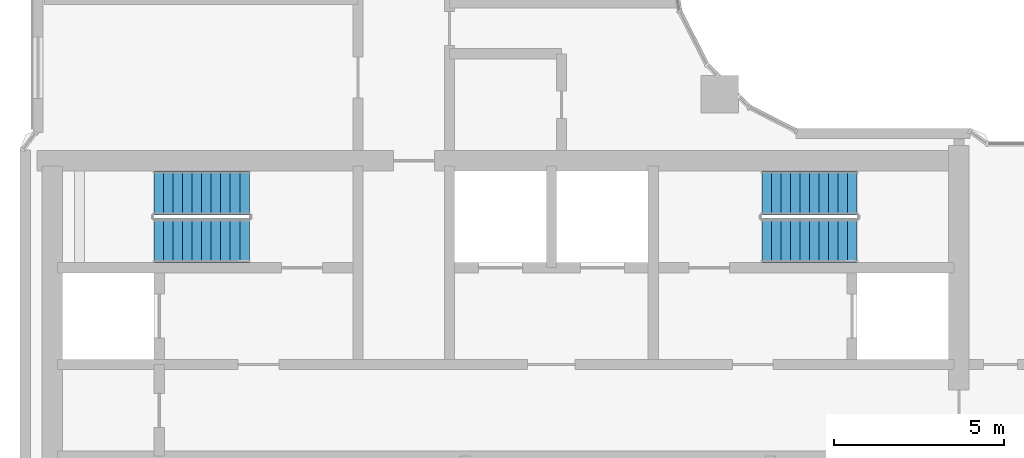
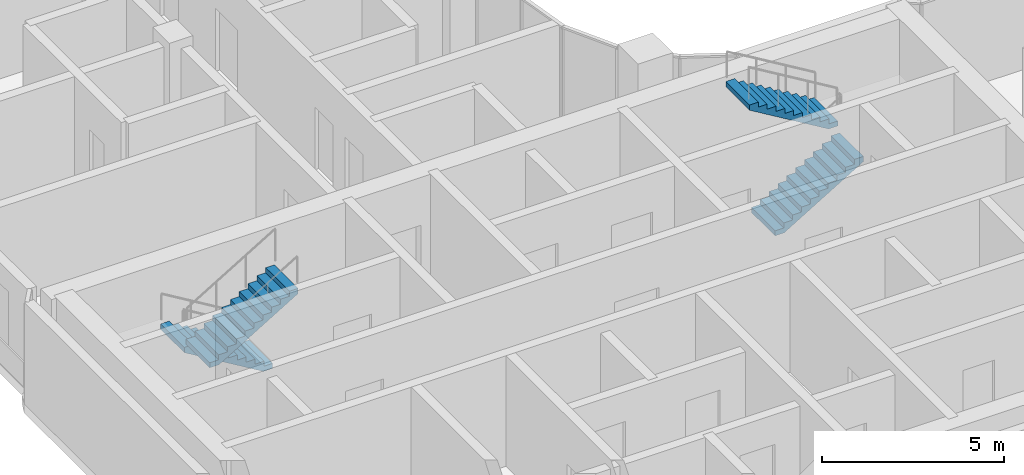
# One storey, part 14 of 21: 4 stair flights, 2 elements without a shape of their own.
"""IFC4 building model written with IfcOpenShell, lengths in metres."""

from ifc_helpers import new_model, si_unit, direction, frame, origin, place, context, subcontext, project, spatial, triangles, source, transform, mapped, material, type_object, element, aggregate, save


model = new_model("IFC4")

# Units and contexts
model_context = context("Model", 3, precision=1e-05, world=origin(), true_north=direction((0.0, 1.0)))
body_context = subcontext(model_context, "Body", "Model", "MODEL_VIEW")
ifc_project = project(units=[si_unit("LENGTHUNIT", "METRE"), si_unit("AREAUNIT", "SQUARE_METRE"), si_unit("VOLUMEUNIT", "CUBIC_METRE"), si_unit("PLANEANGLEUNIT", "RADIAN"), si_unit("MASSUNIT", "GRAM", prefix="KILO")], contexts=[model_context])

# Site, building, storey
site_placement = place(None, origin())
site = spatial("IfcSite", under=ifc_project, at=site_placement, CompositionType="ELEMENT")
building_placement = place(site_placement, origin())
building = spatial("IfcBuilding", under=site, at=building_placement, Name="Ogive Portal Towers", CompositionType="ELEMENT")
storey_placement = place(building_placement, frame((0.0, 0.0, 157.0)))
storey = spatial("IfcBuildingStorey", under=building, at=storey_placement, Name="L38", CompositionType="ELEMENT", Elevation=157.0)

# Stair, stair flights
ifc_material = material(Name="Concrete C40/50", Category="concrete")
stair_type = type_object("IfcStairType", Name="INT-STAIR", PredefinedType="HALF_TURN_STAIR", material=ifc_material)
stair_1_placement = place(storey_placement, origin())
stair_1 = element("IfcStair", 1, at=stair_1_placement, inside=storey, type_object=stair_type, Name="L38 Exit Stair ST-A1", PredefinedType="HALF_TURN_STAIR")
stair_flight_type = type_object("IfcStairFlightType", Name="INT-FLIGHT", PredefinedType="STRAIGHT", material=ifc_material)
shared_shape = source(origin(), body_context, "Body", "Tessellation", [
    triangles([(0.0, -0.650146484375, 0.0), (0.0, -0.376220703125, 0.0), (0.0, -0.192626953125, 0.0), (0.0, -0.081298828125, 0.0), (0.0, -0.024169921875, 0.0), (0.0, -0.003173828125, 0.0), (0.0, 0.0, 0.0), (0.0, 0.0029296875, 0.0), (0.0, 0.02392578125, 0.0), (0.0, 0.0810546875, 0.0), (0.0, 0.1923828125, 0.0), (0.0, 0.3759765625, 0.0), (0.0, 0.64990234375, 0.0), (0.0, -0.650146484375, 0.168212890625), (0.0, -0.376220703125, 0.168212890625), (0.0, -0.192626953125, 0.168212890625), (0.0, -0.081298828125, 0.168212890625), (0.0, -0.024169921875, 0.168212890625), (0.0, -0.003173828125, 0.168212890625), (0.0, 0.0, 0.168212890625), (0.0, 0.0029296875, 0.168212890625), (0.0, 0.02392578125, 0.168212890625), (0.0, 0.0810546875, 0.168212890625), (0.0, 0.1923828125, 0.168212890625), (0.0, 0.3759765625, 0.168212890625), (0.0, 0.64990234375, 0.168212890625), (0.280029296875, -0.650146484375, 0.168212890625), (0.280029296875, -0.376220703125, 0.168212890625), (0.280029296875, -0.192626953125, 0.168212890625), (0.280029296875, -0.081298828125, 0.168212890625), (0.280029296875, -0.024169921875, 0.168212890625), (0.280029296875, -0.003173828125, 0.168212890625), (0.280029296875, 0.0, 0.168212890625), (0.280029296875, 0.0029296875, 0.168212890625), (0.280029296875, 0.02392578125, 0.168212890625), (0.280029296875, 0.0810546875, 0.168212890625), (0.280029296875, 0.1923828125, 0.168212890625), (0.280029296875, 0.3759765625, 0.168212890625), (0.280029296875, 0.64990234375, 0.168212890625), (0.280029296875, -0.650146484375, 0.33642578125), (0.280029296875, -0.376220703125, 0.33642578125), (0.280029296875, -0.192626953125, 0.33642578125), (0.280029296875, -0.081298828125, 0.33642578125), (0.280029296875, -0.024169921875, 0.33642578125), (0.280029296875, -0.003173828125, 0.33642578125), (0.280029296875, 0.0, 0.33642578125), (0.280029296875, 0.0029296875, 0.33642578125), (0.280029296875, 0.02392578125, 0.33642578125), (0.280029296875, 0.0810546875, 0.33642578125), (0.280029296875, 0.1923828125, 0.33642578125), (0.280029296875, 0.3759765625, 0.33642578125), (0.280029296875, 0.64990234375, 0.33642578125), (0.56005859375, -0.650146484375, 0.33642578125), (0.56005859375, -0.376220703125, 0.33642578125), (0.56005859375, -0.192626953125, 0.33642578125), (0.56005859375, -0.081298828125, 0.33642578125), (0.56005859375, -0.024169921875, 0.33642578125), (0.56005859375, -0.003173828125, 0.33642578125), (0.56005859375, 0.0, 0.33642578125), (0.56005859375, 0.0029296875, 0.33642578125), (0.56005859375, 0.02392578125, 0.33642578125), (0.56005859375, 0.0810546875, 0.33642578125), (0.56005859375, 0.1923828125, 0.33642578125), (0.56005859375, 0.3759765625, 0.33642578125), (0.56005859375, 0.64990234375, 0.33642578125), (0.56005859375, -0.650146484375, 0.504638671875), (0.56005859375, -0.376220703125, 0.504638671875), (0.56005859375, -0.192626953125, 0.504638671875), (0.56005859375, -0.081298828125, 0.504638671875), (0.56005859375, -0.024169921875, 0.504638671875), (0.56005859375, -0.003173828125, 0.504638671875), (0.56005859375, 0.0, 0.504638671875), (0.56005859375, 0.0029296875, 0.504638671875), (0.56005859375, 0.02392578125, 0.504638671875), (0.56005859375, 0.0810546875, 0.504638671875), (0.56005859375, 0.1923828125, 0.504638671875), (0.56005859375, 0.3759765625, 0.504638671875), (0.56005859375, 0.64990234375, 0.504638671875), (0.840087890625, -0.650146484375, 0.504638671875), (0.840087890625, -0.376220703125, 0.504638671875), (0.840087890625, -0.192626953125, 0.504638671875), (0.840087890625, -0.081298828125, 0.504638671875), (0.840087890625, -0.024169921875, 0.504638671875), (0.840087890625, -0.003173828125, 0.504638671875), (0.840087890625, 0.0, 0.504638671875), (0.840087890625, 0.0029296875, 0.504638671875), (0.840087890625, 0.02392578125, 0.504638671875), (0.840087890625, 0.0810546875, 0.504638671875), (0.840087890625, 0.1923828125, 0.504638671875), (0.840087890625, 0.3759765625, 0.504638671875), (0.840087890625, 0.64990234375, 0.504638671875), (0.840087890625, -0.650146484375, 0.672607421875), (0.840087890625, -0.376220703125, 0.672607421875), (0.840087890625, -0.192626953125, 0.672607421875), (0.840087890625, -0.081298828125, 0.672607421875), (0.840087890625, -0.024169921875, 0.672607421875), (0.840087890625, -0.003173828125, 0.672607421875), (0.840087890625, 0.0, 0.672607421875), (0.840087890625, 0.0029296875, 0.672607421875), (0.840087890625, 0.02392578125, 0.672607421875), (0.840087890625, 0.0810546875, 0.672607421875), (0.840087890625, 0.1923828125, 0.672607421875), (0.840087890625, 0.3759765625, 0.672607421875), (0.840087890625, 0.64990234375, 0.672607421875), (1.1201171875, -0.650146484375, 0.672607421875), (1.1201171875, -0.376220703125, 0.672607421875), (1.1201171875, -0.192626953125, 0.672607421875), (1.1201171875, -0.081298828125, 0.672607421875), (1.1201171875, -0.024169921875, 0.672607421875), (1.1201171875, -0.003173828125, 0.672607421875), (1.1201171875, 0.0, 0.672607421875), (1.1201171875, 0.0029296875, 0.672607421875), (1.1201171875, 0.02392578125, 0.672607421875), (1.1201171875, 0.0810546875, 0.672607421875), (1.1201171875, 0.1923828125, 0.672607421875), (1.1201171875, 0.3759765625, 0.672607421875), (1.1201171875, 0.64990234375, 0.672607421875), (1.1201171875, -0.650146484375, 0.8408203125), (1.1201171875, -0.376220703125, 0.8408203125), (1.1201171875, -0.192626953125, 0.8408203125), (1.1201171875, -0.081298828125, 0.8408203125), (1.1201171875, -0.024169921875, 0.8408203125), (1.1201171875, -0.003173828125, 0.8408203125), (1.1201171875, 0.0, 0.8408203125), (1.1201171875, 0.0029296875, 0.8408203125), (1.1201171875, 0.02392578125, 0.8408203125), (1.1201171875, 0.0810546875, 0.8408203125), (1.1201171875, 0.1923828125, 0.8408203125), (1.1201171875, 0.3759765625, 0.8408203125), (1.1201171875, 0.64990234375, 0.8408203125), (1.39990234375, -0.650146484375, 0.8408203125), (1.39990234375, -0.376220703125, 0.8408203125), (1.39990234375, -0.192626953125, 0.8408203125), (1.39990234375, -0.081298828125, 0.8408203125), (1.39990234375, -0.024169921875, 0.8408203125), (1.39990234375, -0.003173828125, 0.8408203125), (1.39990234375, 0.0, 0.8408203125), (1.39990234375, 0.0029296875, 0.8408203125), (1.39990234375, 0.02392578125, 0.8408203125), (1.39990234375, 0.0810546875, 0.8408203125), (1.39990234375, 0.1923828125, 0.8408203125), (1.39990234375, 0.3759765625, 0.8408203125), (1.39990234375, 0.64990234375, 0.8408203125), (1.39990234375, -0.650146484375, 1.009033203125), (1.39990234375, -0.376220703125, 1.009033203125), (1.39990234375, -0.192626953125, 1.009033203125), (1.39990234375, -0.081298828125, 1.009033203125), (1.39990234375, -0.024169921875, 1.009033203125), (1.39990234375, -0.003173828125, 1.009033203125), (1.39990234375, 0.0, 1.009033203125), (1.39990234375, 0.0029296875, 1.009033203125), (1.39990234375, 0.02392578125, 1.009033203125), (1.39990234375, 0.0810546875, 1.009033203125), (1.39990234375, 0.1923828125, 1.009033203125), (1.39990234375, 0.3759765625, 1.009033203125), (1.39990234375, 0.64990234375, 1.009033203125), (1.679931640625, -0.650146484375, 1.009033203125), (1.679931640625, -0.376220703125, 1.009033203125), (1.679931640625, -0.192626953125, 1.009033203125), (1.679931640625, -0.081298828125, 1.009033203125), (1.679931640625, -0.024169921875, 1.009033203125), (1.679931640625, -0.003173828125, 1.009033203125), (1.679931640625, 0.0, 1.009033203125), (1.679931640625, 0.0029296875, 1.009033203125), (1.679931640625, 0.02392578125, 1.009033203125), (1.679931640625, 0.0810546875, 1.009033203125), (1.679931640625, 0.1923828125, 1.009033203125), (1.679931640625, 0.3759765625, 1.009033203125), (1.679931640625, 0.64990234375, 1.009033203125), (1.679931640625, -0.650146484375, 1.17724609375), (1.679931640625, -0.376220703125, 1.17724609375), (1.679931640625, -0.192626953125, 1.17724609375), (1.679931640625, -0.081298828125, 1.17724609375), (1.679931640625, -0.024169921875, 1.17724609375), (1.679931640625, -0.003173828125, 1.17724609375), (1.679931640625, 0.0, 1.17724609375), (1.679931640625, 0.0029296875, 1.17724609375), (1.679931640625, 0.02392578125, 1.17724609375), (1.679931640625, 0.0810546875, 1.17724609375), (1.679931640625, 0.1923828125, 1.17724609375), (1.679931640625, 0.3759765625, 1.17724609375), (1.679931640625, 0.64990234375, 1.17724609375), (1.9599609375, -0.650146484375, 1.17724609375), (1.9599609375, -0.376220703125, 1.17724609375), (1.9599609375, -0.192626953125, 1.17724609375), (1.9599609375, -0.081298828125, 1.17724609375), (1.9599609375, -0.024169921875, 1.17724609375), (1.9599609375, -0.003173828125, 1.17724609375), (1.9599609375, 0.0, 1.17724609375), (1.9599609375, 0.0029296875, 1.17724609375), (1.9599609375, 0.02392578125, 1.17724609375), (1.9599609375, 0.0810546875, 1.17724609375), (1.9599609375, 0.1923828125, 1.17724609375), (1.9599609375, 0.3759765625, 1.17724609375), (1.9599609375, 0.64990234375, 1.17724609375), (1.9599609375, -0.650146484375, 1.345458984375), (1.9599609375, -0.376220703125, 1.345458984375), (1.9599609375, -0.192626953125, 1.345458984375), (1.9599609375, -0.081298828125, 1.345458984375), (1.9599609375, -0.024169921875, 1.345458984375), (1.9599609375, -0.003173828125, 1.345458984375), (1.9599609375, 0.0, 1.345458984375), (1.9599609375, 0.0029296875, 1.345458984375), (1.9599609375, 0.02392578125, 1.345458984375), (1.9599609375, 0.0810546875, 1.345458984375), (1.9599609375, 0.1923828125, 1.345458984375), (1.9599609375, 0.3759765625, 1.345458984375), (1.9599609375, 0.64990234375, 1.345458984375), (2.239990234375, -0.650146484375, 1.345458984375), (2.239990234375, -0.376220703125, 1.345458984375), (2.239990234375, -0.192626953125, 1.345458984375), (2.239990234375, -0.081298828125, 1.345458984375), (2.239990234375, -0.024169921875, 1.345458984375), (2.239990234375, -0.003173828125, 1.345458984375), (2.239990234375, 0.0, 1.345458984375), (2.239990234375, 0.0029296875, 1.345458984375), (2.239990234375, 0.02392578125, 1.345458984375), (2.239990234375, 0.0810546875, 1.345458984375), (2.239990234375, 0.1923828125, 1.345458984375), (2.239990234375, 0.3759765625, 1.345458984375), (2.239990234375, 0.64990234375, 1.345458984375), (2.239990234375, -0.650146484375, 1.513671875), (2.239990234375, -0.376220703125, 1.513671875), (2.239990234375, -0.192626953125, 1.513671875), (2.239990234375, -0.081298828125, 1.513671875), (2.239990234375, -0.024169921875, 1.513671875), (2.239990234375, -0.003173828125, 1.513671875), (2.239990234375, 0.0, 1.513671875), (2.239990234375, 0.0029296875, 1.513671875), (2.239990234375, 0.02392578125, 1.513671875), (2.239990234375, 0.0810546875, 1.513671875), (2.239990234375, 0.1923828125, 1.513671875), (2.239990234375, 0.3759765625, 1.513671875), (2.239990234375, 0.64990234375, 1.513671875), (2.52001953125, -0.650146484375, 1.513671875), (2.52001953125, -0.376220703125, 1.513671875), (2.52001953125, -0.192626953125, 1.513671875), (2.52001953125, -0.081298828125, 1.513671875), (2.52001953125, -0.024169921875, 1.513671875), (2.52001953125, -0.003173828125, 1.513671875), (2.52001953125, 0.0, 1.513671875), (2.52001953125, 0.0029296875, 1.513671875), (2.52001953125, 0.02392578125, 1.513671875), (2.52001953125, 0.0810546875, 1.513671875), (2.52001953125, 0.1923828125, 1.513671875), (2.52001953125, 0.3759765625, 1.513671875), (2.52001953125, 0.64990234375, 1.513671875), (2.52001953125, -0.650146484375, 1.681884765625), (2.52001953125, -0.376220703125, 1.681884765625), (2.52001953125, -0.192626953125, 1.681884765625), (2.52001953125, -0.081298828125, 1.681884765625), (2.52001953125, -0.024169921875, 1.681884765625), (2.52001953125, -0.003173828125, 1.681884765625), (2.52001953125, 0.0, 1.681884765625), (2.52001953125, 0.0029296875, 1.681884765625), (2.52001953125, 0.02392578125, 1.681884765625), (2.52001953125, 0.0810546875, 1.681884765625), (2.52001953125, 0.1923828125, 1.681884765625), (2.52001953125, 0.3759765625, 1.681884765625), (2.52001953125, 0.64990234375, 1.681884765625), (2.800048828125, -0.650146484375, 1.681884765625), (2.800048828125, -0.376220703125, 1.681884765625), (2.800048828125, -0.192626953125, 1.681884765625), (2.800048828125, -0.081298828125, 1.681884765625), (2.800048828125, -0.024169921875, 1.681884765625), (2.800048828125, -0.003173828125, 1.681884765625), (2.800048828125, 0.0, 1.681884765625), (2.800048828125, 0.0029296875, 1.681884765625), (2.800048828125, 0.02392578125, 1.681884765625), (2.800048828125, 0.0810546875, 1.681884765625), (2.800048828125, 0.1923828125, 1.681884765625), (2.800048828125, 0.3759765625, 1.681884765625), (2.800048828125, 0.64990234375, 1.681884765625), (2.800048828125, -0.650146484375, 1.5068359375), (2.800048828125, -0.376220703125, 1.5068359375), (2.800048828125, -0.192626953125, 1.5068359375), (2.800048828125, -0.081298828125, 1.5068359375), (2.800048828125, -0.024169921875, 1.5068359375), (2.800048828125, -0.003173828125, 1.5068359375), (2.800048828125, 0.0, 1.5068359375), (2.800048828125, 0.0029296875, 1.5068359375), (2.800048828125, 0.02392578125, 1.5068359375), (2.800048828125, 0.0810546875, 1.5068359375), (2.800048828125, 0.1923828125, 1.5068359375), (2.800048828125, 0.3759765625, 1.5068359375), (2.800048828125, 0.64990234375, 1.5068359375), (0.291015625, -0.650146484375, 0.0), (0.291015625, -0.376220703125, 0.0), (0.291015625, -0.192626953125, 0.0), (0.291015625, -0.081298828125, 0.0), (0.291015625, -0.024169921875, 0.0), (0.291015625, -0.003173828125, 0.0), (0.291015625, 0.0, 0.0), (0.291015625, 0.0029296875, 0.0), (0.291015625, 0.02392578125, 0.0), (0.291015625, 0.0810546875, 0.0), (0.291015625, 0.1923828125, 0.0), (0.291015625, 0.3759765625, 0.0), (0.291015625, 0.64990234375, 0.0)], [[1, 14, 15], [1, 15, 2], [2, 15, 16], [2, 16, 3], [3, 16, 17], [3, 17, 4], [4, 17, 18], [4, 18, 5], [5, 18, 19], [5, 19, 6], [6, 19, 20], [6, 20, 7], [7, 20, 21], [7, 21, 8], [8, 21, 22], [8, 22, 9], [9, 22, 23], [9, 23, 10], [10, 23, 24], [10, 24, 11], [11, 24, 25], [11, 25, 12], [12, 25, 26], [12, 26, 13], [14, 27, 28], [14, 28, 15], [15, 28, 29], [15, 29, 16], [16, 29, 30], [16, 30, 17], [17, 30, 31], [17, 31, 18], [18, 31, 32], [18, 32, 19], [19, 32, 33], [19, 33, 20], [20, 33, 34], [20, 34, 21], [21, 34, 35], [21, 35, 22], [22, 35, 36], [22, 36, 23], [23, 36, 37], [23, 37, 24], [24, 37, 38], [24, 38, 25], [25, 38, 39], [25, 39, 26], [27, 40, 41], [27, 41, 28], [28, 41, 42], [28, 42, 29], [29, 42, 43], [29, 43, 30], [30, 43, 44], [30, 44, 31], [31, 44, 45], [31, 45, 32], [32, 45, 46], [32, 46, 33], [33, 46, 47], [33, 47, 34], [34, 47, 48], [34, 48, 35], [35, 48, 49], [35, 49, 36], [36, 49, 50], [36, 50, 37], [37, 50, 51], [37, 51, 38], [38, 51, 52], [38, 52, 39], [40, 53, 54], [40, 54, 41], [41, 54, 55], [41, 55, 42], [42, 55, 56], [42, 56, 43], [43, 56, 57], [43, 57, 44], [44, 57, 58], [44, 58, 45], [45, 58, 59], [45, 59, 46], [46, 59, 60], [46, 60, 47], [47, 60, 61], [47, 61, 48], [48, 61, 62], [48, 62, 49], [49, 62, 63], [49, 63, 50], [50, 63, 64], [50, 64, 51], [51, 64, 65], [51, 65, 52], [53, 66, 67], [53, 67, 54], [54, 67, 68], [54, 68, 55], [55, 68, 69], [55, 69, 56], [56, 69, 70], [56, 70, 57], [57, 70, 71], [57, 71, 58], [58, 71, 72], [58, 72, 59], [59, 72, 73], [59, 73, 60], [60, 73, 74], [60, 74, 61], [61, 74, 75], [61, 75, 62], [62, 75, 76], [62, 76, 63], [63, 76, 77], [63, 77, 64], [64, 77, 78], [64, 78, 65], [66, 79, 80], [66, 80, 67], [67, 80, 81], [67, 81, 68], [68, 81, 82], [68, 82, 69], [69, 82, 83], [69, 83, 70], [70, 83, 84], [70, 84, 71], [71, 84, 85], [71, 85, 72], [72, 85, 86], [72, 86, 73], [73, 86, 87], [73, 87, 74], [74, 87, 88], [74, 88, 75], [75, 88, 89], [75, 89, 76], [76, 89, 90], [76, 90, 77], [77, 90, 91], [77, 91, 78], [79, 92, 93], [79, 93, 80], [80, 93, 94], [80, 94, 81], [81, 94, 95], [81, 95, 82], [82, 95, 96], [82, 96, 83], [83, 96, 97], [83, 97, 84], [84, 97, 98], [84, 98, 85], [85, 98, 99], [85, 99, 86], [86, 99, 100], [86, 100, 87], [87, 100, 101], [87, 101, 88], [88, 101, 102], [88, 102, 89], [89, 102, 103], [89, 103, 90], [90, 103, 104], [90, 104, 91], [92, 105, 106], [92, 106, 93], [93, 106, 107], [93, 107, 94], [94, 107, 108], [94, 108, 95], [95, 108, 109], [95, 109, 96], [96, 109, 110], [96, 110, 97], [97, 110, 111], [97, 111, 98], [98, 111, 112], [98, 112, 99], [99, 112, 113], [99, 113, 100], [100, 113, 114], [100, 114, 101], [101, 114, 115], [101, 115, 102], [102, 115, 116], [102, 116, 103], [103, 116, 117], [103, 117, 104], [105, 118, 119], [105, 119, 106], [106, 119, 120], [106, 120, 107], [107, 120, 121], [107, 121, 108], [108, 121, 122], [108, 122, 109], [109, 122, 123], [109, 123, 110], [110, 123, 124], [110, 124, 111], [111, 124, 125], [111, 125, 112], [112, 125, 126], [112, 126, 113], [113, 126, 127], [113, 127, 114], [114, 127, 128], [114, 128, 115], [115, 128, 129], [115, 129, 116], [116, 129, 130], [116, 130, 117], [118, 131, 132], [118, 132, 119], [119, 132, 133], [119, 133, 120], [120, 133, 134], [120, 134, 121], [121, 134, 135], [121, 135, 122], [122, 135, 136], [122, 136, 123], [123, 136, 137], [123, 137, 124], [124, 137, 138], [124, 138, 125], [125, 138, 139], [125, 139, 126], [126, 139, 140], [126, 140, 127], [127, 140, 141], [127, 141, 128], [128, 141, 142], [128, 142, 129], [129, 142, 143], [129, 143, 130], [131, 144, 145], [131, 145, 132], [132, 145, 146], [132, 146, 133], [133, 146, 147], [133, 147, 134], [134, 147, 148], [134, 148, 135], [135, 148, 149], [135, 149, 136], [136, 149, 150], [136, 150, 137], [137, 150, 151], [137, 151, 138], [138, 151, 152], [138, 152, 139], [139, 152, 153], [139, 153, 140], [140, 153, 154], [140, 154, 141], [141, 154, 155], [141, 155, 142], [142, 155, 156], [142, 156, 143], [144, 157, 158], [144, 158, 145], [145, 158, 159], [145, 159, 146], [146, 159, 160], [146, 160, 147], [147, 160, 161], [147, 161, 148], [148, 161, 162], [148, 162, 149], [149, 162, 163], [149, 163, 150], [150, 163, 164], [150, 164, 151], [151, 164, 165], [151, 165, 152], [152, 165, 166], [152, 166, 153], [153, 166, 167], [153, 167, 154], [154, 167, 168], [154, 168, 155], [155, 168, 169], [155, 169, 156], [157, 170, 171], [157, 171, 158], [158, 171, 172], [158, 172, 159], [159, 172, 173], [159, 173, 160], [160, 173, 174], [160, 174, 161], [161, 174, 175], [161, 175, 162], [162, 175, 176], [162, 176, 163], [163, 176, 177], [163, 177, 164], [164, 177, 178], [164, 178, 165], [165, 178, 179], [165, 179, 166], [166, 179, 180], [166, 180, 167], [167, 180, 181], [167, 181, 168], [168, 181, 182], [168, 182, 169], [170, 183, 184], [170, 184, 171], [171, 184, 185], [171, 185, 172], [172, 185, 186], [172, 186, 173], [173, 186, 187], [173, 187, 174], [174, 187, 188], [174, 188, 175], [175, 188, 189], [175, 189, 176], [176, 189, 190], [176, 190, 177], [177, 190, 191], [177, 191, 178], [178, 191, 192], [178, 192, 179], [179, 192, 193], [179, 193, 180], [180, 193, 194], [180, 194, 181], [181, 194, 195], [181, 195, 182], [183, 196, 197], [183, 197, 184], [184, 197, 198], [184, 198, 185], [185, 198, 199], [185, 199, 186], [186, 199, 200], [186, 200, 187], [187, 200, 201], [187, 201, 188], [188, 201, 202], [188, 202, 189], [189, 202, 203], [189, 203, 190], [190, 203, 204], [190, 204, 191], [191, 204, 205], [191, 205, 192], [192, 205, 206], [192, 206, 193], [193, 206, 207], [193, 207, 194], [194, 207, 208], [194, 208, 195], [196, 209, 210], [196, 210, 197], [197, 210, 211], [197, 211, 198], [198, 211, 212], [198, 212, 199], [199, 212, 213], [199, 213, 200], [200, 213, 214], [200, 214, 201], [201, 214, 215], [201, 215, 202], [202, 215, 216], [202, 216, 203], [203, 216, 217], [203, 217, 204], [204, 217, 218], [204, 218, 205], [205, 218, 219], [205, 219, 206], [206, 219, 220], [206, 220, 207], [207, 220, 221], [207, 221, 208], [209, 222, 223], [209, 223, 210], [210, 223, 224], [210, 224, 211], [211, 224, 225], [211, 225, 212], [212, 225, 226], [212, 226, 213], [213, 226, 227], [213, 227, 214], [214, 227, 228], [214, 228, 215], [215, 228, 229], [215, 229, 216], [216, 229, 230], [216, 230, 217], [217, 230, 231], [217, 231, 218], [218, 231, 232], [218, 232, 219], [219, 232, 233], [219, 233, 220], [220, 233, 234], [220, 234, 221], [222, 235, 236], [222, 236, 223], [223, 236, 237], [223, 237, 224], [224, 237, 238], [224, 238, 225], [225, 238, 239], [225, 239, 226], [226, 239, 240], [226, 240, 227], [227, 240, 241], [227, 241, 228], [228, 241, 242], [228, 242, 229], [229, 242, 243], [229, 243, 230], [230, 243, 244], [230, 244, 231], [231, 244, 245], [231, 245, 232], [232, 245, 246], [232, 246, 233], [233, 246, 247], [233, 247, 234], [235, 248, 249], [235, 249, 236], [236, 249, 250], [236, 250, 237], [237, 250, 251], [237, 251, 238], [238, 251, 252], [238, 252, 239], [239, 252, 253], [239, 253, 240], [240, 253, 254], [240, 254, 241], [241, 254, 255], [241, 255, 242], [242, 255, 256], [242, 256, 243], [243, 256, 257], [243, 257, 244], [244, 257, 258], [244, 258, 245], [245, 258, 259], [245, 259, 246], [246, 259, 260], [246, 260, 247], [248, 261, 262], [248, 262, 249], [249, 262, 263], [249, 263, 250], [250, 263, 264], [250, 264, 251], [251, 264, 265], [251, 265, 252], [252, 265, 266], [252, 266, 253], [253, 266, 267], [253, 267, 254], [254, 267, 268], [254, 268, 255], [255, 268, 269], [255, 269, 256], [256, 269, 270], [256, 270, 257], [257, 270, 271], [257, 271, 258], [258, 271, 272], [258, 272, 259], [259, 272, 273], [259, 273, 260], [261, 274, 275], [261, 275, 262], [262, 275, 276], [262, 276, 263], [263, 276, 277], [263, 277, 264], [264, 277, 278], [264, 278, 265], [265, 278, 279], [265, 279, 266], [266, 279, 280], [266, 280, 267], [267, 280, 281], [267, 281, 268], [268, 281, 282], [268, 282, 269], [269, 282, 283], [269, 283, 270], [270, 283, 284], [270, 284, 271], [271, 284, 285], [271, 285, 272], [272, 285, 286], [272, 286, 273], [274, 287, 288], [274, 288, 275], [275, 288, 289], [275, 289, 276], [276, 289, 290], [276, 290, 277], [277, 290, 291], [277, 291, 278], [278, 291, 292], [278, 292, 279], [279, 292, 293], [279, 293, 280], [280, 293, 294], [280, 294, 281], [281, 294, 295], [281, 295, 282], [282, 295, 296], [282, 296, 283], [283, 296, 297], [283, 297, 284], [284, 297, 298], [284, 298, 285], [285, 298, 299], [285, 299, 286], [287, 1, 2], [287, 2, 288], [288, 2, 3], [288, 3, 289], [289, 3, 4], [289, 4, 290], [290, 4, 5], [290, 5, 291], [291, 5, 6], [291, 6, 292], [292, 6, 7], [292, 7, 293], [293, 7, 8], [293, 8, 294], [294, 8, 9], [294, 9, 295], [295, 9, 10], [295, 10, 296], [296, 10, 11], [296, 11, 297], [297, 11, 12], [297, 12, 298], [298, 12, 13], [298, 13, 299], [1, 287, 274], [13, 286, 299], [274, 261, 248], [286, 260, 273], [274, 248, 235], [286, 247, 260], [274, 235, 222], [286, 234, 247], [274, 222, 209], [286, 221, 234], [209, 196, 183], [221, 195, 208], [274, 209, 183], [286, 195, 221], [183, 170, 157], [195, 169, 182], [274, 183, 157], [286, 169, 195], [157, 144, 131], [169, 143, 156], [274, 157, 131], [286, 143, 169], [131, 118, 105], [143, 117, 130], [274, 131, 105], [286, 117, 143], [1, 274, 105], [13, 117, 286], [105, 92, 79], [117, 91, 104], [79, 66, 53], [91, 65, 78], [105, 79, 53], [117, 65, 91], [53, 40, 27], [65, 39, 52], [105, 53, 27], [117, 39, 65], [1, 105, 27], [13, 39, 117], [27, 14, 1], [39, 13, 26]], closed=True),
])
stair_flight_1_placement = place(storey_placement, frame((37.449951171875, 38.39990234375, 0.0), z_axis=(0.0, 0.0, 1.0), x_axis=(-1.0, 0.0, 0.0)))
stair_flight_1 = element("IfcStairFlight", 2, at=stair_flight_1_placement, type_object=stair_flight_type, Name="ST-A1 flight 1", NumberOfRisers=11, NumberOfTreads=10, PredefinedType="STRAIGHT", RiserHeight=0.168181818, TreadLength=0.28, context=body_context, shape_type="MappedRepresentation", body=[
    mapped(shared_shape, transform((0.0, 0.0, 0.0), scale=1.0)),
])
stair_flight_2_placement = place(storey_placement, frame((34.64990234375, 37.0, 1.85009765625), z_axis=(0.0, 0.0, 1.0), x_axis=(1.0, 0.0, 0.0)))
stair_flight_2 = element("IfcStairFlight", 3, at=stair_flight_2_placement, type_object=stair_flight_type, Name="ST-A1 flight 2", NumberOfRisers=11, NumberOfTreads=10, PredefinedType="STRAIGHT", RiserHeight=0.168181818, TreadLength=0.28, context=body_context, shape_type="MappedRepresentation", body=[
    mapped(shared_shape, transform((0.0, 0.0, 0.0), scale=1.0)),
])
aggregate(stair_1, [stair_flight_1, stair_flight_2])

stair_2_placement = place(storey_placement, origin())
stair_2 = element("IfcStair", 4, at=stair_2_placement, inside=storey, type_object=stair_type, Name="L38 Exit Stair ST-A2", PredefinedType="HALF_TURN_STAIR")
stair_flight_3_placement = place(storey_placement, frame((52.550048828125, 37.0, 0.0), z_axis=(0.0, 0.0, 1.0), x_axis=(1.0, 0.0, 0.0)))
stair_flight_3 = element("IfcStairFlight", 5, at=stair_flight_3_placement, type_object=stair_flight_type, Name="ST-A2 flight 1", NumberOfRisers=11, NumberOfTreads=10, PredefinedType="STRAIGHT", RiserHeight=0.168181818, TreadLength=0.28, context=body_context, shape_type="MappedRepresentation", body=[
    mapped(shared_shape, transform((0.0, 0.0, 0.0), scale=1.0)),
])
stair_flight_4_placement = place(storey_placement, frame((55.35009765625, 38.39990234375, 1.85009765625), z_axis=(0.0, 0.0, 1.0), x_axis=(-1.0, 0.0, 0.0)))
stair_flight_4 = element("IfcStairFlight", 6, at=stair_flight_4_placement, type_object=stair_flight_type, Name="ST-A2 flight 2", NumberOfRisers=11, NumberOfTreads=10, PredefinedType="STRAIGHT", RiserHeight=0.168181818, TreadLength=0.28, context=body_context, shape_type="MappedRepresentation", body=[
    mapped(shared_shape, transform((0.0, 0.0, 0.0), scale=1.0)),
])
aggregate(stair_2, [stair_flight_3, stair_flight_4])

save(model, "model.ifc")
